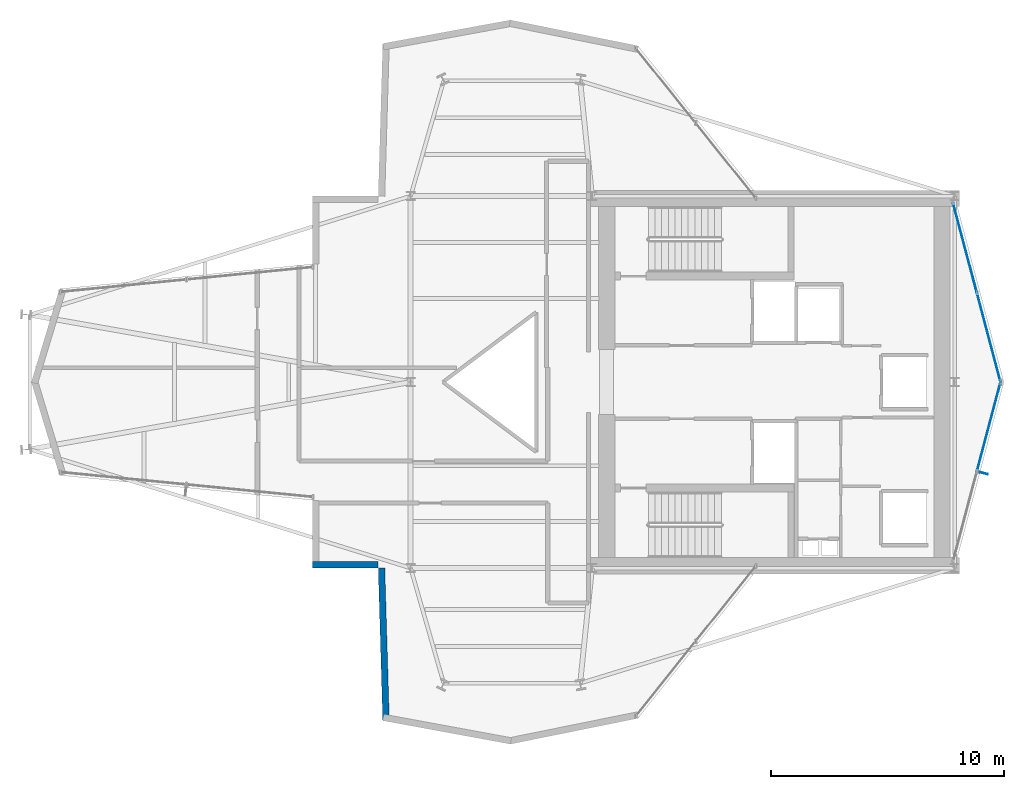
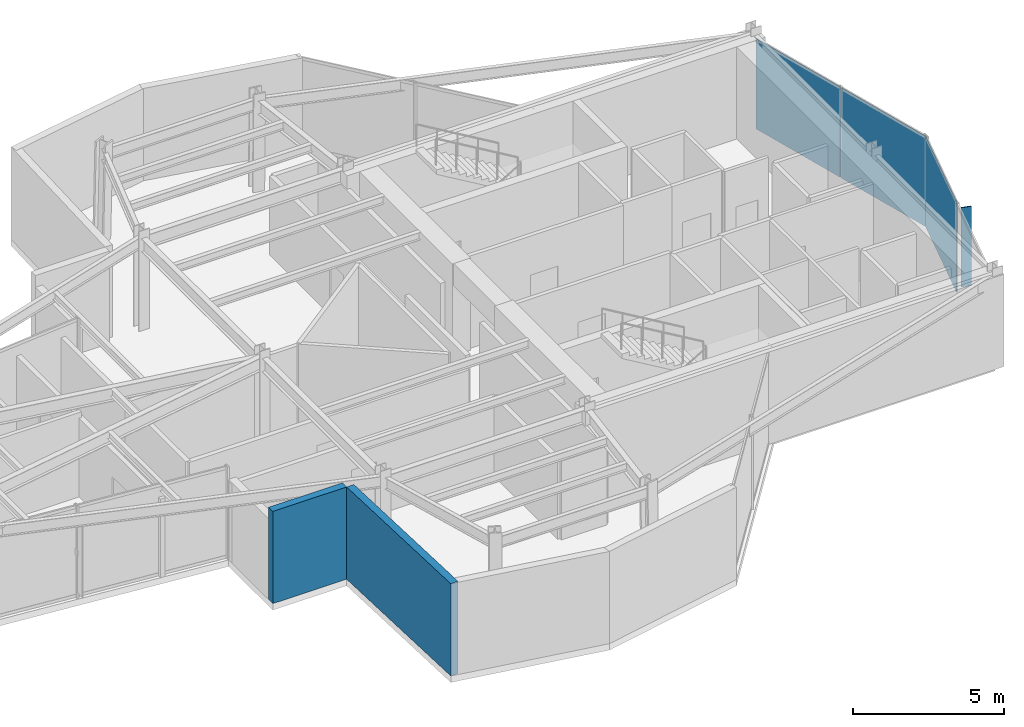
# One storey, part 20 of 23: 4 plates, 2 walls, 2 elements without a shape of their own.
"""IFC4 building model written with IfcOpenShell, lengths in metres."""

from ifc_helpers import new_model, si_unit, direction, frame, frame_2d, origin, origin_2d, place, context, subcontext, project, spatial, rectangle, extrude, material, layer, layer_set, type_object, element, aggregate, save


model = new_model("IFC4")

# Units and contexts
model_context = context("Model", 3, precision=1e-05, world=origin(), true_north=direction((0.0, 1.0)))
body_context = subcontext(model_context, "Body", "Model", "MODEL_VIEW")
ifc_project = project(units=[si_unit("LENGTHUNIT", "METRE"), si_unit("AREAUNIT", "SQUARE_METRE"), si_unit("VOLUMEUNIT", "CUBIC_METRE"), si_unit("PLANEANGLEUNIT", "RADIAN"), si_unit("MASSUNIT", "GRAM", prefix="KILO")], contexts=[model_context])

# Site, building, storey
site_placement = place(None, origin())
site = spatial("IfcSite", under=ifc_project, at=site_placement, CompositionType="ELEMENT")
building_placement = place(site_placement, origin())
building = spatial("IfcBuilding", under=site, at=building_placement, Name="Veymaron Broadcast Tower", CompositionType="ELEMENT")
storey_placement = place(building_placement, frame((0.0, 0.0, 252.60009765625)))
storey = spatial("IfcBuildingStorey", under=building, at=storey_placement, Name="L59", CompositionType="ELEMENT", Elevation=252.60009765625)

# Curtain wall, plate
ifc_material_1 = material(Name="Anodised aluminium AA 6063-T6 and laminated low-E dark glass", Category="aluminium")
ifc_layer_1 = layer(ifc_material_1, 0.179931640625)
ifc_layer_set_1 = layer_set([ifc_layer_1], Name="Anodised aluminium AA 6063-T6 and laminated low-E dark glass")
curtain_wall_type = type_object("IfcCurtainWallType", Name="CW-SYS-05", PredefinedType="NOTDEFINED", material=ifc_layer_set_1)
curtain_wall_1_placement = place(storey_placement, origin())
curtain_wall_1 = element("IfcCurtainWall", 1, at=curtain_wall_1_placement, inside=storey, type_object=curtain_wall_type, Name="L59 dark-glass curtain wall CW-L59-E2-1", PredefinedType="NOTDEFINED")
ifc_material_2 = material(Name="Double-silver solar-control dark glass IGU 32 mm", Category="glass")
ifc_layer_2 = layer(ifc_material_2, 0.031982421875)
ifc_layer_set_2 = layer_set([ifc_layer_2], Name="Double-silver solar-control dark glass IGU 32 mm")
plate_type_1 = type_object("IfcPlateType", Name="CW-PNL-02", PredefinedType="CURTAIN_PANEL", material=ifc_layer_set_2)
plate_1_placement = place(storey_placement, frame((56.071533203125, 22.09619140625, 0.0400390625), z_axis=(0.0, 0.0, 1.0), x_axis=(0.25627250274, 0.966604574963, 0.0)))
plate_1 = element("IfcPlate", 2, at=plate_1_placement, type_object=plate_type_1, Name="CW-L59-E2-1 unitised curtain panel 1", PredefinedType="CURTAIN_PANEL", context=body_context, shape_type="SweptSolid", body=[
    extrude(rectangle(XDim=3.953369140625, YDim=0.031982421875, at=origin_2d()), origin(), (0.0, 0.0, 1.0), 3.64990234375),
])
aggregate(curtain_wall_1, [plate_1])

# Curtain wall, plates
curtain_wall_2_placement = place(storey_placement, origin())
curtain_wall_2 = element("IfcCurtainWall", 3, at=curtain_wall_2_placement, inside=storey, type_object=curtain_wall_type, Name="L59 dark-glass curtain wall CW-L59-E3-1", PredefinedType="NOTDEFINED")
plate_2_placement = place(storey_placement, frame((56.0712890625, 25.90380859375, 0.0400390625), z_axis=(0.0, 0.0, 1.0), x_axis=(-0.25627250274, 0.966604574963, 0.0)))
plate_2 = element("IfcPlate", 4, at=plate_2_placement, type_object=plate_type_1, Name="CW-L59-E3-1 unitised curtain panel 0", PredefinedType="CURTAIN_PANEL", context=body_context, shape_type="SweptSolid", body=[
    extrude(rectangle(XDim=3.953369140625, YDim=0.031982421875, at=origin_2d()), origin(), (0.0, 0.0, 1.0), 3.64990234375),
])
plate_3_placement = place(storey_placement, frame((55.04296875, 29.782958984375, 0.0400390625), z_axis=(0.0, 0.0, 1.0), x_axis=(-0.25627250274, 0.966604574963, 0.0)))
plate_3 = element("IfcPlate", 5, at=plate_3_placement, type_object=plate_type_1, Name="CW-L59-E3-1 unitised curtain panel 1", PredefinedType="CURTAIN_PANEL", context=body_context, shape_type="SweptSolid", body=[
    extrude(rectangle(XDim=3.953369140625, YDim=0.031982421875, at=origin_2d()), origin(), (0.0, 0.0, 1.0), 3.64990234375),
])
aggregate(curtain_wall_2, [plate_2, plate_3])

# Plate
ifc_material_3 = material(Name="Dark-anodised aluminium AA 6061-T6", Category="aluminium")
ifc_layer_3 = layer(ifc_material_3, 0.030029296875)
ifc_layer_set_3 = layer_set([ifc_layer_3], Name="Dark-anodised aluminium AA 6061-T6")
plate_type_2 = type_object("IfcPlateType", Name="FIN-CHEV-02", PredefinedType="USERDEFINED", material=ifc_layer_set_3)
plate_4_placement = place(storey_placement, frame((55.85205078125, 20.078369140625, 0.26123046875), z_axis=(0.0, 0.0, 1.0), x_axis=(0.966604574963, -0.25627250274, 0.0)))
element("IfcPlate", 6, at=plate_4_placement, inside=storey, type_object=plate_type_2, Name="CW-L59-E2-1 chevron fin 1", ObjectType="FIN", PredefinedType="USERDEFINED", context=body_context, shape_type="SweptSolid", body=[
    extrude(rectangle(XDim=0.35009765625, YDim=0.034912109375, at=origin_2d()), origin(), (0.0, 0.0, 1.0), 3.207763671875),
])

# Walls
ifc_material_4 = material(Name="Precast concrete C40/50", Category="concrete")
ifc_layer_4 = layer(ifc_material_4, 0.280029296875)
ifc_layer_set_4 = layer_set([ifc_layer_4], Name="Precast concrete C40/50")
wall_type = type_object("IfcWallType", Name="WALL-EXT-280", PredefinedType="STANDARD", material=ifc_layer_set_4)
wall_1_placement = place(storey_placement, frame((26.98388671875, 16.139892578125, 0.0), z_axis=(0.0, 0.0, 1.0), x_axis=(1.0, 0.0, 0.0)))
element("IfcWall", 7, at=wall_1_placement, inside=storey, type_object=wall_type, Name="L59 notched corner facade pier 16-1", PredefinedType="STANDARD", context=body_context, shape_type="SweptSolid", body=[
    extrude(rectangle(XDim=2.82373046875, YDim=0.280029296875, at=frame_2d((1.411865234375, 0.0))), origin(), (0.0, 0.0, 1.0), 3.72998046875),
])
wall_2_placement = place(storey_placement, frame((29.947509765625, 16.004150390625, 0.0), z_axis=(0.0, 0.0, 1.0), x_axis=(0.029597919089, -0.999561885621, 0.0)))
element("IfcWall", 8, at=wall_2_placement, inside=storey, type_object=wall_type, Name="L59 notched corner facade pier 17-1", PredefinedType="STANDARD", context=body_context, shape_type="SweptSolid", body=[
    extrude(rectangle(XDim=6.56591796875, YDim=0.280029296875, at=frame_2d((3.282958984375, 0.0))), origin(), (0.0, 0.0, 1.0), 3.72998046875),
])

save(model, "model.ifc")
